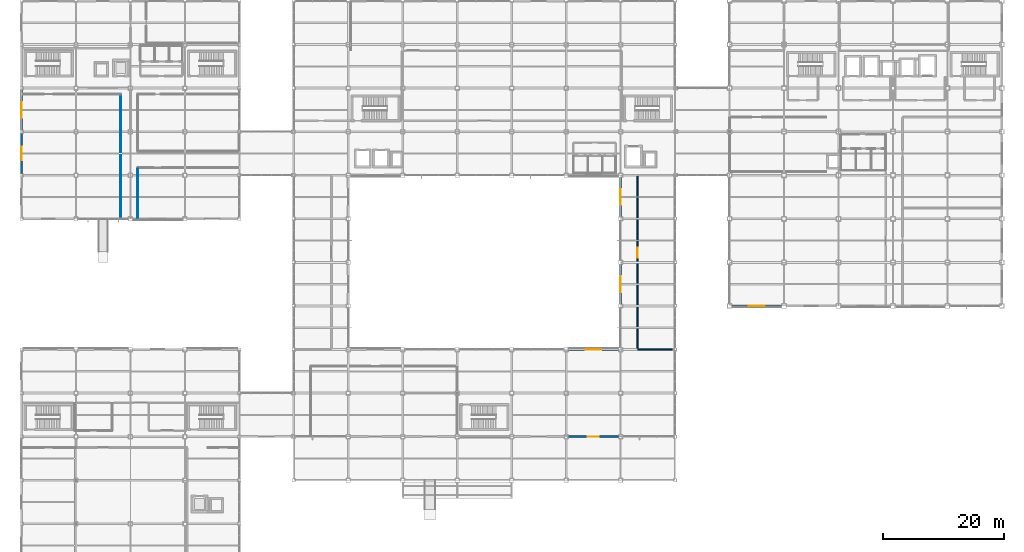
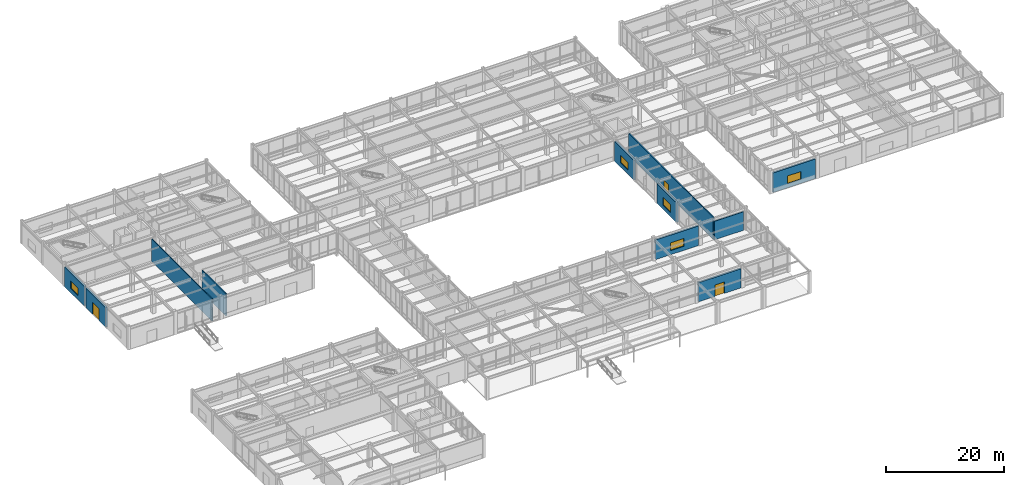
# One storey, part 89 of 112: 11 walls, 5 windows, 3 doors, 8 openings.
"""IFC4 building model written with IfcOpenShell, lengths in metres."""

from ifc_helpers import new_model, si_unit, direction, frame, frame_2d, origin, place, context, subcontext, project, spatial, rectangle, extrude, material, layer, layer_set, type_object, element, fill, save


model = new_model("IFC4")

# Units and contexts
model_context = context("Model", 3, precision=1e-05, world=origin(), true_north=direction((0.0, 1.0)))
body_context = subcontext(model_context, "Body", "Model", "MODEL_VIEW")
ifc_project = project(units=[si_unit("LENGTHUNIT", "METRE"), si_unit("AREAUNIT", "SQUARE_METRE"), si_unit("VOLUMEUNIT", "CUBIC_METRE"), si_unit("PLANEANGLEUNIT", "RADIAN"), si_unit("MASSUNIT", "GRAM", prefix="KILO")], contexts=[model_context])

# Site, building, storey
site_placement = place(None, origin())
site = spatial("IfcSite", under=ifc_project, at=site_placement, CompositionType="ELEMENT")
building_placement = place(site_placement, origin())
building = spatial("IfcBuilding", under=site, at=building_placement, Name="Kazanami Central Library", CompositionType="ELEMENT")
storey_placement = place(building_placement, origin())
storey = spatial("IfcBuildingStorey", under=building, at=storey_placement, Name="L01", CompositionType="ELEMENT", Elevation=0.0)

# Wall, opening, door
ifc_material_1 = material(Name="Concrete Fc36 (36 MPa)", Category="concrete")
ifc_layer_1 = layer(ifc_material_1, 0.27001953125, Name="Concrete Fc36 (36 MPa)")
ifc_material_2 = material(Name="Extruded Polystyrene XPS", Category="earth")
ifc_layer_2 = layer(ifc_material_2, 0.050048828125, Name="Extruded Polystyrene XPS")
ifc_material_3 = material(Name="Honed Inada Granite", Category="masonry")
ifc_layer_3 = layer(ifc_material_3, 0.030029296875, Name="Honed Inada Granite")
ifc_layer_set_1 = layer_set([ifc_layer_1, ifc_layer_2, ifc_layer_3], Name="Concrete Fc36 (36 MPa)")
wall_type_1 = type_object("IfcWallType", Name="WAL-EW-350", PredefinedType="STANDARD", material=ifc_layer_set_1)
wall_1_placement = place(storey_placement, frame((90.324951171875, 21.60009765625, 0.0), z_axis=(0.0, 0.0, 1.0), x_axis=(1.0, 0.0, 0.0)))
wall_1 = element("IfcWall", 1, at=wall_1_placement, inside=storey, type_object=wall_type_1, Name="Exterior Facade Wall EW-350 L01 S-D-10", PredefinedType="STANDARD", context=body_context, shape_type="SweptSolid", body=[
    extrude(rectangle(XDim=8.35009765625, YDim=0.35009765625, at=frame_2d((4.175048828125, 0.0))), origin(), (0.0, 0.0, 1.0), 3.955078125),
])
opening_1_placement = place(wall_1_placement, frame((3.25, 0.0, 0.0)))
opening_1 = element("IfcOpeningElement", 2, at=opening_1_placement, cuts=wall_1, Name="Opening ED-07", PredefinedType="OPENING", context=body_context, shape_type="SweptSolid", body=[
    extrude(rectangle(XDim=1.85009765625, YDim=2.35009765625, at=frame_2d((0.925048828125, 1.175048828125))), frame((0.0, 0.18701171875, 0.0), z_axis=(0.0, -1.0, 0.0), x_axis=(1.0, 0.0, 0.0)), (0.0, 0.0, 1.0), 0.3740234375),
])
ifc_material_4 = material(Name="Anodised Aluminium A6063-T5", Category="aluminium")
door_type_1 = type_object("IfcDoorType", Name="DOR-ED-07", OperationType="DOUBLE_DOOR_SINGLE_SWING", PredefinedType="DOOR", material=ifc_material_4)
door_1_placement = place(opening_1_placement, frame((1.85009765625, 0.0, 0.0), z_axis=(0.0, 0.0, 1.0), x_axis=(-1.0, 0.0, 0.0)))
door_1 = element("IfcDoor", 3, at=door_1_placement, inside=storey, type_object=door_type_1, Name="Main Pedestrian Exit Door 07", OperationType="DOUBLE_DOOR_SINGLE_SWING", OverallHeight=2.35009765625, OverallWidth=1.85009765625, PredefinedType="DOOR", context=body_context, shape_type="SweptSolid", body=[
    extrude(rectangle(XDim=1.85009765625, YDim=2.35009765625, at=frame_2d((0.925048828125, 1.175048828125))), frame((0.0, 0.02490234375, 0.0), z_axis=(0.0, -1.0, 0.0), x_axis=(1.0, 0.0, 0.0)), (0.0, 0.0, 1.0), 0.050048828125),
])
fill(opening_1, door_1)

# Wall, opening, window
wall_2_placement = place(storey_placement, frame((98.675048828125, 36.0, 0.0), z_axis=(0.0, 0.0, 1.0), x_axis=(-1.0, 0.0, 0.0)))
wall_2 = element("IfcWall", 4, at=wall_2_placement, inside=storey, type_object=wall_type_1, Name="Exterior Facade Wall EW-350 L01 N-F-10", PredefinedType="STANDARD", context=body_context, shape_type="SweptSolid", body=[
    extrude(rectangle(XDim=8.35009765625, YDim=0.35009765625, at=frame_2d((4.175048828125, 0.0))), origin(), (0.0, 0.0, 1.0), 4.054931640625),
])
opening_2_placement = place(wall_2_placement, frame((2.875, 0.0, 0.85009765625)))
opening_2 = element("IfcOpeningElement", 5, at=opening_2_placement, cuts=wall_2, Name="Opening WN-13", PredefinedType="OPENING", context=body_context, shape_type="SweptSolid", body=[
    extrude(rectangle(XDim=2.60009765625, YDim=1.60009765625, at=frame_2d((1.300048828125, 0.800048828125))), frame((0.0, 0.18701171875, 0.0), z_axis=(0.0, -1.0, 0.0), x_axis=(1.0, 0.0, 0.0)), (0.0, 0.0, 1.0), 0.3740234375),
])
ifc_material_5 = material(Name="Low-E Insulated Triple Glass", Category="glass")
window_type = type_object("IfcWindowType", Name="WIN-WN-13", PartitioningType="DOUBLE_PANEL_VERTICAL", PredefinedType="WINDOW", material=ifc_material_5)
window_1_placement = place(opening_2_placement, origin())
window_1 = element("IfcWindow", 6, at=window_1_placement, inside=storey, type_object=window_type, Name="Facade Window WN-13 L01 N-F-10", OverallHeight=1.60009765625, OverallWidth=2.60009765625, PartitioningType="DOUBLE_PANEL_VERTICAL", PredefinedType="WINDOW", context=body_context, shape_type="SweptSolid", body=[
    extrude(rectangle(XDim=2.60009765625, YDim=1.60009765625, at=frame_2d((1.300048828125, 0.800048828125))), frame((0.0, 0.030029296875, 0.0), z_axis=(0.0, -1.0, 0.0), x_axis=(1.0, 0.0, 0.0)), (0.0, 0.0, 1.0), 0.06005859375),
])
fill(opening_2, window_1)

wall_3_placement = place(storey_placement, frame((117.35009765625, 43.199951171875, 0.0), z_axis=(0.0, 0.0, 1.0), x_axis=(1.0, 0.0, 0.0)))
wall_3 = element("IfcWall", 7, at=wall_3_placement, inside=storey, type_object=wall_type_1, Name="Exterior Facade Wall EW-350 L01 S-G-13", PredefinedType="STANDARD", context=body_context, shape_type="SweptSolid", body=[
    extrude(rectangle(XDim=8.27490234375, YDim=0.35009765625, at=frame_2d((4.137451171875, 0.0))), origin(), (0.0, 0.0, 1.0), 4.054931640625),
])
opening_3_placement = place(wall_3_placement, frame((2.83740234375, 0.0, 0.85009765625)))
opening_3 = element("IfcOpeningElement", 8, at=opening_3_placement, cuts=wall_3, Name="Opening WN-13", PredefinedType="OPENING", context=body_context, shape_type="SweptSolid", body=[
    extrude(rectangle(XDim=2.60009765625, YDim=1.60009765625, at=frame_2d((1.300048828125, 0.800048828125))), frame((0.0, 0.18701171875, 0.0), z_axis=(0.0, -1.0, 0.0), x_axis=(1.0, 0.0, 0.0)), (0.0, 0.0, 1.0), 0.3740234375),
])
window_2_placement = place(opening_3_placement, origin())
window_2 = element("IfcWindow", 9, at=window_2_placement, inside=storey, type_object=window_type, Name="Facade Window WN-13 L01 S-G-13", OverallHeight=1.60009765625, OverallWidth=2.60009765625, PartitioningType="DOUBLE_PANEL_VERTICAL", PredefinedType="WINDOW", context=body_context, shape_type="SweptSolid", body=[
    extrude(rectangle(XDim=2.60009765625, YDim=1.60009765625, at=frame_2d((1.300048828125, 0.800048828125))), frame((0.0, 0.030029296875, 0.0), z_axis=(0.0, -1.0, 0.0), x_axis=(1.0, 0.0, 0.0)), (0.0, 0.0, 1.0), 0.06005859375),
])
fill(opening_3, window_2)

# Wall, opening, door
wall_4_placement = place(storey_placement, frame((0.0, 65.050048828125, 0.0), z_axis=(0.0, 0.0, 1.0), x_axis=(0.0, 1.0, 0.0)))
wall_4 = element("IfcWall", 10, at=wall_4_placement, inside=storey, type_object=wall_type_1, Name="Exterior Facade Wall EW-350 L01 W-1-09", PredefinedType="STANDARD", context=body_context, shape_type="SweptSolid", body=[
    extrude(rectangle(XDim=6.699951171875, YDim=0.35009765625, at=frame_2d((3.35009765625, 0.0))), origin(), (0.0, 0.0, 1.0), 4.054931640625),
])
opening_4_placement = place(wall_4_placement, frame((2.25, 0.0, 0.0)))
opening_4 = element("IfcOpeningElement", 11, at=opening_4_placement, cuts=wall_4, Name="Opening ED-01", PredefinedType="OPENING", context=body_context, shape_type="SweptSolid", body=[
    extrude(rectangle(XDim=2.199951171875, YDim=2.5, at=frame_2d((1.10009765625, 1.25))), frame((0.0, 0.18701171875, 0.0), z_axis=(0.0, -1.0, 0.0), x_axis=(1.0, 0.0, 0.0)), (0.0, 0.0, 1.0), 0.3740234375),
])
door_type_2 = type_object("IfcDoorType", Name="DOR-ED-01", OperationType="DOUBLE_DOOR_SINGLE_SWING", PredefinedType="DOOR", material=ifc_material_4)
door_2_placement = place(opening_4_placement, origin())
door_2 = element("IfcDoor", 12, at=door_2_placement, inside=storey, type_object=door_type_2, Name="Main Pedestrian Exit Door 17", OperationType="DOUBLE_DOOR_SINGLE_SWING", OverallHeight=2.5, OverallWidth=2.199951171875, PredefinedType="DOOR", context=body_context, shape_type="SweptSolid", body=[
    extrude(rectangle(XDim=2.199951171875, YDim=2.5, at=frame_2d((1.10009765625, 1.25))), frame((0.0, 0.02490234375, 0.0), z_axis=(0.0, -1.0, 0.0), x_axis=(1.0, 0.0, 0.0)), (0.0, 0.0, 1.0), 0.050048828125),
])
fill(opening_4, door_2)

# Wall, opening, window
wall_5_placement = place(storey_placement, frame((0.0, 72.25, 0.0), z_axis=(0.0, 0.0, 1.0), x_axis=(0.0, 1.0, 0.0)))
wall_5 = element("IfcWall", 13, at=wall_5_placement, inside=storey, type_object=wall_type_1, Name="Exterior Facade Wall EW-350 L01 W-1-10", PredefinedType="STANDARD", context=body_context, shape_type="SweptSolid", body=[
    extrude(rectangle(XDim=6.699951171875, YDim=0.35009765625, at=frame_2d((3.35009765625, 0.0))), origin(), (0.0, 0.0, 1.0), 4.054931640625),
])
opening_5_placement = place(wall_5_placement, frame((2.050048828125, 0.0, 0.85009765625)))
opening_5 = element("IfcOpeningElement", 14, at=opening_5_placement, cuts=wall_5, Name="Opening WN-13", PredefinedType="OPENING", context=body_context, shape_type="SweptSolid", body=[
    extrude(rectangle(XDim=2.60009765625, YDim=1.60009765625, at=frame_2d((1.300048828125, 0.800048828125))), frame((0.0, 0.18701171875, 0.0), z_axis=(0.0, -1.0, 0.0), x_axis=(1.0, 0.0, 0.0)), (0.0, 0.0, 1.0), 0.3740234375),
])
window_3_placement = place(opening_5_placement, origin())
window_3 = element("IfcWindow", 15, at=window_3_placement, inside=storey, type_object=window_type, Name="Facade Window WN-13 L01 W-1-10", OverallHeight=1.60009765625, OverallWidth=2.60009765625, PartitioningType="DOUBLE_PANEL_VERTICAL", PredefinedType="WINDOW", context=body_context, shape_type="SweptSolid", body=[
    extrude(rectangle(XDim=2.60009765625, YDim=1.60009765625, at=frame_2d((1.300048828125, 0.800048828125))), frame((0.0, 0.030029296875, 0.0), z_axis=(0.0, -1.0, 0.0), x_axis=(1.0, 0.0, 0.0)), (0.0, 0.0, 1.0), 0.06005859375),
])
fill(opening_5, window_3)

wall_6_placement = place(storey_placement, frame((99.0, 43.52490234375, 0.0), z_axis=(0.0, 0.0, 1.0), x_axis=(0.0, 1.0, 0.0)))
wall_6 = element("IfcWall", 16, at=wall_6_placement, inside=storey, type_object=wall_type_1, Name="Exterior Facade Wall EW-350 L01 W-12-06", PredefinedType="STANDARD", context=body_context, shape_type="SweptSolid", body=[
    extrude(rectangle(XDim=6.550048828125, YDim=0.35009765625, at=frame_2d((3.27490234375, 0.0))), origin(), (0.0, 0.0, 1.0), 4.054931640625),
])
opening_6_placement = place(wall_6_placement, frame((1.97509765625, 0.0, 0.85009765625)))
opening_6 = element("IfcOpeningElement", 17, at=opening_6_placement, cuts=wall_6, Name="Opening WN-13", PredefinedType="OPENING", context=body_context, shape_type="SweptSolid", body=[
    extrude(rectangle(XDim=2.60009765625, YDim=1.60009765625, at=frame_2d((1.300048828125, 0.800048828125))), frame((0.0, 0.18701171875, 0.0), z_axis=(0.0, -1.0, 0.0), x_axis=(1.0, 0.0, 0.0)), (0.0, 0.0, 1.0), 0.3740234375),
])
window_4_placement = place(opening_6_placement, origin())
window_4 = element("IfcWindow", 18, at=window_4_placement, inside=storey, type_object=window_type, Name="Facade Window WN-13 L01 W-12-06", OverallHeight=1.60009765625, OverallWidth=2.60009765625, PartitioningType="DOUBLE_PANEL_VERTICAL", PredefinedType="WINDOW", context=body_context, shape_type="SweptSolid", body=[
    extrude(rectangle(XDim=2.60009765625, YDim=1.60009765625, at=frame_2d((1.300048828125, 0.800048828125))), frame((0.0, 0.030029296875, 0.0), z_axis=(0.0, -1.0, 0.0), x_axis=(1.0, 0.0, 0.0)), (0.0, 0.0, 1.0), 0.06005859375),
])
fill(opening_6, window_4)

wall_7_placement = place(storey_placement, frame((99.0, 57.925048828125, 0.0), z_axis=(0.0, 0.0, 1.0), x_axis=(0.0, 1.0, 0.0)))
wall_7 = element("IfcWall", 19, at=wall_7_placement, inside=storey, type_object=wall_type_1, Name="Exterior Facade Wall EW-350 L01 W-12-08", PredefinedType="STANDARD", context=body_context, shape_type="SweptSolid", body=[
    extrude(rectangle(XDim=6.550048828125, YDim=0.35009765625, at=frame_2d((3.27490234375, 0.0))), origin(), (0.0, 0.0, 1.0), 4.054931640625),
])
opening_7_placement = place(wall_7_placement, frame((1.97509765625, 0.0, 0.85009765625)))
opening_7 = element("IfcOpeningElement", 20, at=opening_7_placement, cuts=wall_7, Name="Opening WN-13", PredefinedType="OPENING", context=body_context, shape_type="SweptSolid", body=[
    extrude(rectangle(XDim=2.60009765625, YDim=1.60009765625, at=frame_2d((1.300048828125, 0.800048828125))), frame((0.0, 0.18701171875, 0.0), z_axis=(0.0, -1.0, 0.0), x_axis=(1.0, 0.0, 0.0)), (0.0, 0.0, 1.0), 0.3740234375),
])
window_5_placement = place(opening_7_placement, origin())
window_5 = element("IfcWindow", 21, at=window_5_placement, inside=storey, type_object=window_type, Name="Facade Window WN-13 L01 W-12-08", OverallHeight=1.60009765625, OverallWidth=2.60009765625, PartitioningType="DOUBLE_PANEL_VERTICAL", PredefinedType="WINDOW", context=body_context, shape_type="SweptSolid", body=[
    extrude(rectangle(XDim=2.60009765625, YDim=1.60009765625, at=frame_2d((1.300048828125, 0.800048828125))), frame((0.0, 0.030029296875, 0.0), z_axis=(0.0, -1.0, 0.0), x_axis=(1.0, 0.0, 0.0)), (0.0, 0.0, 1.0), 0.06005859375),
])
fill(opening_7, window_5)

# Walls
ifc_material_6 = material(Name="Fire-Resistant Gypsum Board GB-F", Category="gypsum")
ifc_layer_4 = layer(ifc_material_6, 0.1650390625, Name="Fire-Resistant Gypsum Board GB-F")
ifc_layer_set_2 = layer_set([ifc_layer_4], Name="Fire-Resistant Gypsum Board GB-F")
wall_type_2 = type_object("IfcWallType", Name="WAL-FW-165", PredefinedType="PARTITIONING", material=ifc_layer_set_2)
wall_8_placement = place(storey_placement, frame((16.39990234375, 57.635009765625, 0.0), z_axis=(0.0, 0.0, 1.0), x_axis=(0.0, 1.0, 0.0)))
element("IfcWall", 22, at=wall_8_placement, inside=storey, type_object=wall_type_2, Name="Interior Partition FW-165 L01 RM-17 (East)", PredefinedType="PARTITIONING", context=body_context, shape_type="SweptSolid", body=[
    extrude(rectangle(XDim=20.47509765625, YDim=0.1650390625, at=frame_2d((10.237548828125, 0.0))), origin(), (0.0, 0.0, 1.0), 4.554931640625),
])
wall_9_placement = place(storey_placement, frame((19.199951171875, 57.780029296875, 0.0), z_axis=(0.0, 0.0, 1.0), x_axis=(0.0, 1.0, 0.0)))
element("IfcWall", 23, at=wall_9_placement, inside=storey, type_object=wall_type_2, Name="Interior Partition FW-165 L01 RM-18 (West)", PredefinedType="PARTITIONING", context=body_context, shape_type="SweptSolid", body=[
    extrude(rectangle(XDim=8.1298828125, YDim=0.1650390625, at=frame_2d((4.06494140625, 0.0))), origin(), (0.0, 0.0, 1.0), 4.554931640625),
])
ifc_layer_5 = layer(ifc_material_6, 0.199951171875, Name="Fire-Resistant Gypsum Board GB-F")
ifc_layer_set_3 = layer_set([ifc_layer_5], Name="Fire-Resistant Gypsum Board GB-F")
wall_type_3 = type_object("IfcWallType", Name="WAL-FW-200", PredefinedType="PARTITIONING", material=ifc_layer_set_3)
wall_10_placement = place(storey_placement, frame((101.800048828125, 36.0, 0.0), z_axis=(0.0, 0.0, 1.0), x_axis=(1.0, 0.0, 0.0)))
element("IfcWall", 24, at=wall_10_placement, inside=storey, type_object=wall_type_3, Name="Interior Partition FW-200 L01 RM-30 (South)", PredefinedType="PARTITIONING", context=body_context, shape_type="SweptSolid", body=[
    extrude(rectangle(XDim=5.744873046875, YDim=0.199951171875, at=frame_2d((2.87255859375, 0.0))), origin(), (0.0, 0.0, 1.0), 3.8349609375),
])

# Wall, opening, door
wall_11_placement = place(storey_placement, frame((101.800048828125, 36.090087890625, 0.0), z_axis=(0.0, 0.0, 1.0), x_axis=(0.0, 1.0, 0.0)))
wall_11 = element("IfcWall", 25, at=wall_11_placement, inside=storey, type_object=wall_type_3, Name="Interior Partition FW-200 L01 RM-30 (West)", PredefinedType="PARTITIONING", context=body_context, shape_type="SweptSolid", body=[
    extrude(rectangle(XDim=28.619873046875, YDim=0.199951171875, at=frame_2d((14.31005859375, 0.0))), origin(), (0.0, 0.0, 1.0), 4.554931640625),
])
opening_8_placement = place(wall_11_placement, frame((15.110107421875, 0.0, 0.0)))
opening_8 = element("IfcOpeningElement", 26, at=opening_8_placement, cuts=wall_11, Name="Opening FD60-4", PredefinedType="OPENING", context=body_context, shape_type="SweptSolid", body=[
    extrude(rectangle(XDim=1.60009765625, YDim=2.1201171875, at=frame_2d((0.800048828125, 1.06005859375))), frame((0.0, 0.11181640625, 0.0), z_axis=(0.0, -1.0, 0.0), x_axis=(1.0, 0.0, 0.0)), (0.0, 0.0, 1.0), 0.223876953125),
])
ifc_material_7 = material(Name="Cold-Rolled Steel SPCC", Category="steel")
door_type_3 = type_object("IfcDoorType", Name="DOR-FD60-4", OperationType="DOUBLE_DOOR_SINGLE_SWING", PredefinedType="DOOR", material=ifc_material_7)
door_3_placement = place(opening_8_placement, origin())
door_3 = element("IfcDoor", 27, at=door_3_placement, inside=storey, type_object=door_type_3, Name="Interior Door FD60-4 L01 RM-30", OperationType="DOUBLE_DOOR_SINGLE_SWING", OverallHeight=2.1201171875, OverallWidth=1.60009765625, PredefinedType="DOOR", context=body_context, shape_type="SweptSolid", body=[
    extrude(rectangle(XDim=1.60009765625, YDim=2.1201171875, at=frame_2d((0.800048828125, 1.06005859375))), frame((0.0, 0.02490234375, 0.0), z_axis=(0.0, -1.0, 0.0), x_axis=(1.0, 0.0, 0.0)), (0.0, 0.0, 1.0), 0.050048828125),
])
fill(opening_8, door_3)

save(model, "model.ifc")
